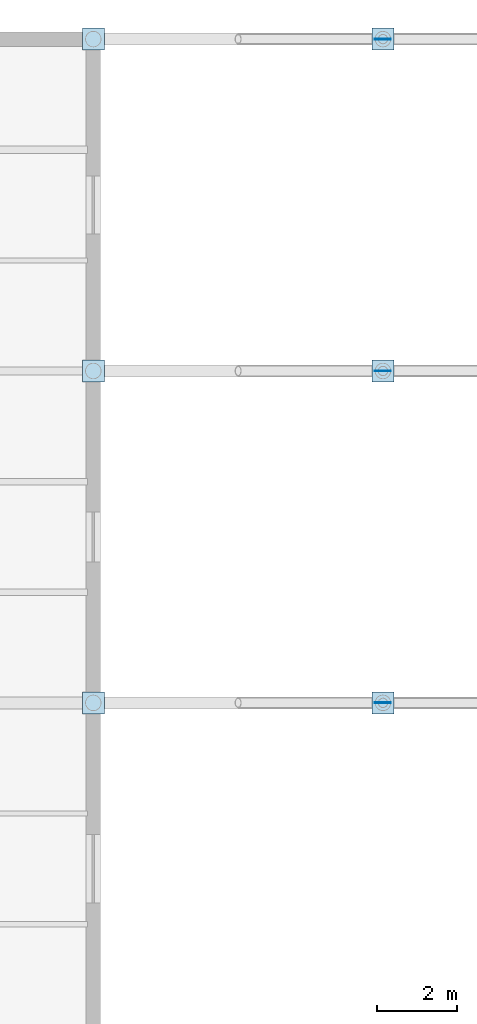
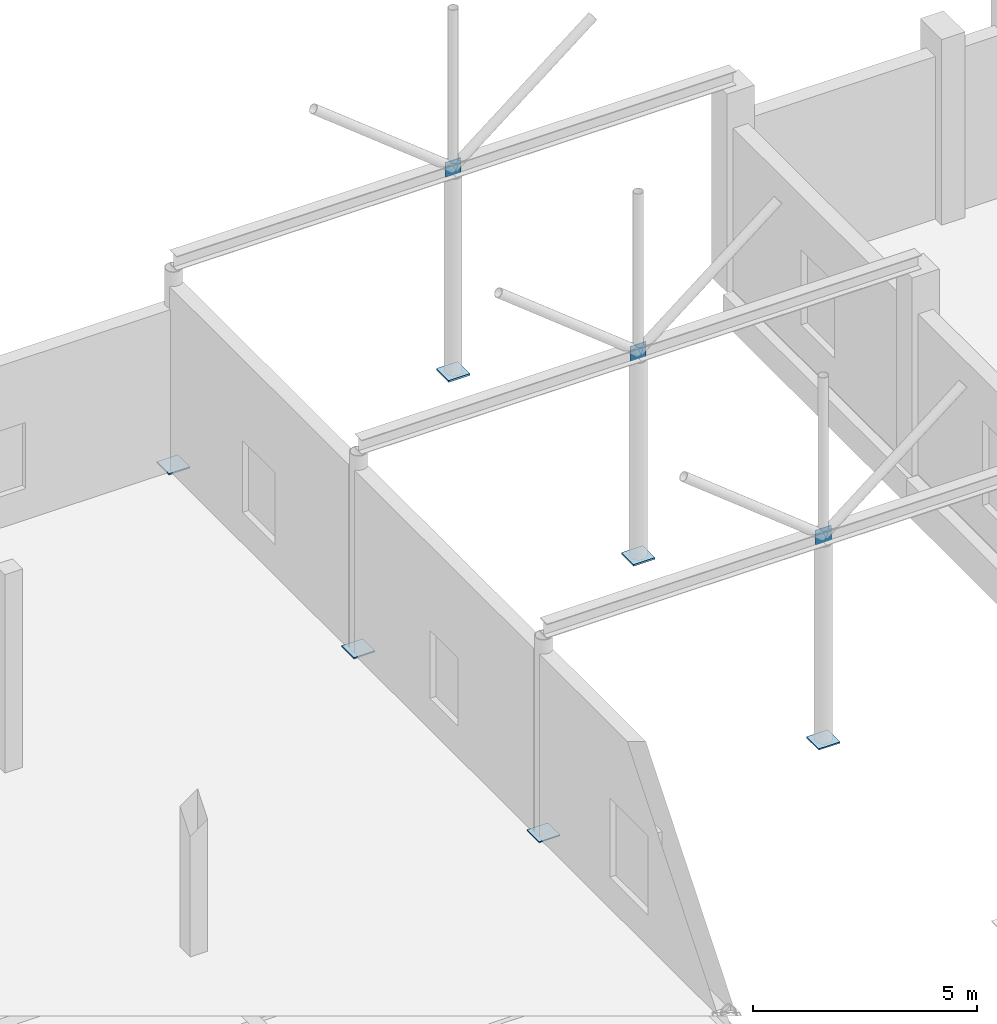
# One storey, part 126 of 147: 9 plates.
"""IFC4 building model written with IfcOpenShell, lengths in metres."""

import ifcopenshell
import ifcopenshell.guid

model = None  # the IFC model being written
_history = None  # IfcOwnerHistory: only IFC2X3 demands one
_inside = {}  # id of a spatial element -> (the spatial element, [elements in it])
_under = {}  # id of a project, library or spatial element -> (it, [spatial elements below it])
_declared = {}  # id of a project -> (the project, [libraries it declares])
_typed = {}  # id of a type object -> (the type object, [elements of that type])
_made_of = {}  # id of a material, layer set ... -> (it, [elements and type objects made of it])


def new_model(schema):
    """Start an empty IFC model of exactly this schema.

    Asked for "IFC4X3", IfcOpenShell would pick the latest addendum, in which some entities
    have other attributes; the version numbers below select the first issue.
    IFC2X3 requires an IfcOwnerHistory on every rooted entity: one is made here for all.
    """
    global model, _history
    if schema == "IFC4X3":
        model = ifcopenshell.file(schema_version=(4, 3, 0, 0))
    else:
        model = ifcopenshell.file(schema=schema)
    _inside.clear()
    _under.clear()
    _declared.clear()
    _typed.clear()
    _made_of.clear()
    _history = None
    if model.schema == "IFC2X3":
        org = make("IfcOrganization", Name="unknown")
        user = make(
            "IfcPersonAndOrganization",
            ThePerson=make("IfcPerson", FamilyName="unknown"),
            TheOrganization=org,
        )
        app = make(
            "IfcApplication",
            ApplicationDeveloper=org,
            Version="unknown",
            ApplicationFullName="unknown",
            ApplicationIdentifier="unknown",
        )
        _history = make(
            "IfcOwnerHistory",
            OwningUser=user,
            OwningApplication=app,
            ChangeAction="ADDED",
            CreationDate=0,
        )
    return model


def make(cls, **values):
    """One entity of the class cls with the attributes given. An attribute that is None is left unset."""
    return model.create_entity(
        cls, **{name: value for name, value in values.items() if value is not None}
    )


def rooted(cls, **values):
    """An entity with a GlobalId (a new one), such as an element, a storey or a relation."""
    return make(cls, GlobalId=ifcopenshell.guid.new(), OwnerHistory=_history, **values)


def si_unit(unit_type, name, prefix=None):
    """IfcSIUnit, for example si_unit("LENGTHUNIT", "METRE", prefix="MILLI")."""
    return make("IfcSIUnit", UnitType=unit_type, Prefix=prefix, Name=name)


def assignment(units):
    """IfcUnitAssignment: the units of a project."""
    return None if units is None else make("IfcUnitAssignment", Units=units)


def point(xyz):
    """IfcCartesianPoint."""
    return None if xyz is None else make("IfcCartesianPoint", Coordinates=xyz)


def direction(xyz):
    """IfcDirection."""
    return None if xyz is None else make("IfcDirection", DirectionRatios=xyz)


def frame(location, z_axis=None, x_axis=None):
    """IfcAxis2Placement3D, a coordinate frame: its origin and axes. An axis left out is left unset."""
    return make(
        "IfcAxis2Placement3D",
        Location=point(location),
        Axis=direction(z_axis),
        RefDirection=direction(x_axis),
    )


def frame_2d(location, x_axis=None):
    """IfcAxis2Placement2D, a coordinate frame in the plane: its origin and x axis."""
    return make(
        "IfcAxis2Placement2D", Location=point(location), RefDirection=direction(x_axis)
    )


def origin():
    """The frame at (0, 0, 0) with its axes left unset."""
    return frame((0.0, 0.0, 0.0))


def origin_2d():
    """The frame at (0, 0) in the plane with its x axis left unset."""
    return frame_2d((0.0, 0.0))


def place(relative_to, where):
    """IfcLocalPlacement: puts the frame where relative to a parent placement (None: the world)."""
    return make(
        "IfcLocalPlacement", PlacementRelTo=relative_to, RelativePlacement=where
    )


def context(
    kind, dimensions, precision=None, world=None, true_north=None, identifier=None
):
    """IfcGeometricRepresentationContext, for example the 3D "Model" context."""
    return make(
        "IfcGeometricRepresentationContext",
        ContextIdentifier=identifier,
        ContextType=kind,
        CoordinateSpaceDimension=dimensions,
        Precision=precision,
        WorldCoordinateSystem=world,
        TrueNorth=true_north,
    )


def subcontext(parent, identifier, kind, view, scale=None):
    """IfcGeometricRepresentationSubContext, for example "Body" below "Model"."""
    return make(
        "IfcGeometricRepresentationSubContext",
        ContextIdentifier=identifier,
        ContextType=kind,
        ParentContext=parent,
        TargetScale=scale,
        TargetView=view,
    )


def project(units=None, contexts=None):
    """IfcProject with its units and contexts."""
    return rooted(
        "IfcProject",
        Name="project",
        RepresentationContexts=contexts,
        UnitsInContext=assignment(units),
    )


def spatial(cls, under=None, at=None, **own):
    """A site, building, storey or space (cls), placed at a placement, below another one or the project."""
    s = rooted(cls, ObjectPlacement=at, **own)
    if under is not None:
        _under.setdefault(under.id(), (under, []))[1].append(s)
    return s


def profile(cls, at=None, kind="AREA", **sizes):
    """A parametric profile (cls). Its sizes go by their IFC names, for example OverallWidth=200.0."""
    return make(cls, ProfileType=kind, Position=at, **sizes)


def rectangle(**sizes):
    """IfcRectangleProfileDef."""
    return profile("IfcRectangleProfileDef", **sizes)


def extrude(swept, where, along, depth):
    """IfcExtrudedAreaSolid: the profile swept, set in the frame where, extruded along a direction by depth."""
    return make(
        "IfcExtrudedAreaSolid",
        SweptArea=swept,
        Position=where,
        ExtrudedDirection=direction(along),
        Depth=depth,
    )


def shape(context_of_items, identifier, shape_type, items):
    """IfcShapeRepresentation: the items that make up one representation, for example the "Body"."""
    return make(
        "IfcShapeRepresentation",
        ContextOfItems=context_of_items,
        RepresentationIdentifier=identifier,
        RepresentationType=shape_type,
        Items=items,
    )


def material(Name=None, Category=None):
    """IfcMaterial."""
    return make("IfcMaterial", Name=Name, Category=Category)


def layer(
    of_material, thickness, ventilated=None, Name=None, Category=None, Priority=None
):
    """IfcMaterialLayer: one layer of a wall or slab, of a material (None: an air gap)."""
    return make(
        "IfcMaterialLayer",
        Material=of_material,
        LayerThickness=thickness,
        IsVentilated=ventilated,
        Name=Name,
        Category=Category,
        Priority=Priority,
    )


def layer_set(layers, Name=None):
    """IfcMaterialLayerSet."""
    return make("IfcMaterialLayerSet", MaterialLayers=layers, LayerSetName=Name)


def made_of(thing, what):
    """Note that an element or type object is made of a material, layer set ...; save() writes the relation."""
    if what is not None:
        _made_of.setdefault(what.id(), (what, []))[1].append(thing)
    return thing


def type_object(cls, material=None, **own):
    """A type object (cls), such as IfcWallType, which elements share."""
    return made_of(rooted(cls, **own), material)


def element(
    cls,
    number,
    at=None,
    inside=None,
    cuts=None,
    type_object=None,
    material=None,
    context=None,
    identifier="Body",
    shape_type=None,
    held_by="IfcProductDefinitionShape",
    body=None,
    shapes=None,
    **own,
):
    """One element of the class cls, such as IfcWall. Its Tag is "e" and its number.

    at: its placement. inside: the storey or other place that contains it. cuts: it is an
    opening in that element (IfcRelVoidsElement). A single representation is given by context,
    identifier, shape_type and body (its items); several are given by shapes. held_by: the class
    of the entity that holds the representations. save() writes the other relations.
    """
    e = rooted(cls, Tag="e%d" % number, ObjectPlacement=at, **own)
    if body is not None:
        shapes = [shape(context, identifier, shape_type, body)]
    if shapes is not None:
        e.Representation = make(held_by, Representations=shapes)
    if inside is not None:
        _inside.setdefault(inside.id(), (inside, []))[1].append(e)
    if cuts is not None:
        rooted(
            "IfcRelVoidsElement", RelatingBuildingElement=cuts, RelatedOpeningElement=e
        )
    if type_object is not None:
        _typed.setdefault(type_object.id(), (type_object, []))[1].append(e)
    return made_of(e, material)


def aggregate(whole, parts):
    """IfcRelAggregates: a whole, such as a stair, and the parts it consists of."""
    return rooted("IfcRelAggregates", RelatingObject=whole, RelatedObjects=parts)


def save(model, path):
    """Write the relations noted so far, then the file.

    IfcRelAggregates (storeys below a building ...), IfcRelContainedInSpatialStructure (elements
    in a storey), IfcRelDefinesByType, IfcRelAssociatesMaterial and IfcRelDeclares: one each for
    every whole, place, type object, material and project.
    """
    for whole, parts in _under.values():
        aggregate(whole, parts)
    for where, things in _inside.values():
        rooted(
            "IfcRelContainedInSpatialStructure",
            RelatedElements=things,
            RelatingStructure=where,
        )
    for kind, things in _typed.values():
        rooted("IfcRelDefinesByType", RelatedObjects=things, RelatingType=kind)
    for what, things in _made_of.values():
        rooted("IfcRelAssociatesMaterial", RelatedObjects=things, RelatingMaterial=what)
    for by, libraries in _declared.values():
        rooted("IfcRelDeclares", RelatingContext=by, RelatedDefinitions=libraries)
    model.write(path)


model = new_model("IFC4")

# Units and contexts
model_context = context("Model", 3, precision=1e-05, world=origin(), true_north=direction((0.0, 1.0)))
body_context = subcontext(model_context, "Body", "Model", "MODEL_VIEW")
ifc_project = project(units=[si_unit("LENGTHUNIT", "METRE"), si_unit("AREAUNIT", "SQUARE_METRE"), si_unit("VOLUMEUNIT", "CUBIC_METRE"), si_unit("PLANEANGLEUNIT", "RADIAN"), si_unit("MASSUNIT", "GRAM", prefix="KILO")], contexts=[model_context])

# Site, building, storey
site_placement = place(None, origin())
site = spatial("IfcSite", under=ifc_project, at=site_placement, CompositionType="ELEMENT")
building_placement = place(site_placement, origin())
building = spatial("IfcBuilding", under=site, at=building_placement, Name="Sundgate Opera House", CompositionType="ELEMENT")
storey_placement = place(building_placement, frame((0.0, 0.0, 6.0)))
storey = spatial("IfcBuildingStorey", under=building, at=storey_placement, Name="L01", CompositionType="ELEMENT", Elevation=6.0)

# Plates
ifc_material_1 = material(Name="Steel S355J2", Category="steel")
ifc_layer_1 = layer(ifc_material_1, 0.02587890625)
ifc_layer_set_1 = layer_set([ifc_layer_1], Name="Steel S355J2")
plate_type_1 = type_object("IfcPlateType", Name="PT-BAS-26", PredefinedType="USERDEFINED", material=ifc_layer_set_1)
plate_1_placement = place(storey_placement, frame((81.0, 103.5, 0.0), z_axis=(0.0, 0.0, 1.0), x_axis=(1.0, 0.0, 0.0)))
element("IfcPlate", 1, at=plate_1_placement, inside=storey, type_object=plate_type_1, Name="L01 Base Plate PT0175", ObjectType="BASE PLATE", PredefinedType="USERDEFINED", context=body_context, shape_type="SweptSolid", body=[
    extrude(rectangle(XDim=0.5458984375, YDim=0.5458984375, at=origin_2d()), origin(), (0.0, 0.0, 1.0), 0.02587890625),
])
ifc_material_2 = material(Name="Steel S355J2", Category="steel")
ifc_layer_2 = layer(ifc_material_2, 0.033935546875)
ifc_layer_set_2 = layer_set([ifc_layer_2], Name="Steel S355J2")
plate_type_2 = type_object("IfcPlateType", Name="PT-BAS-34", PredefinedType="USERDEFINED", material=ifc_layer_set_2)
plate_2_placement = place(storey_placement, frame((81.0, 111.75, 0.0), z_axis=(0.0, 0.0, 1.0), x_axis=(1.0, 0.0, 0.0)))
element("IfcPlate", 2, at=plate_2_placement, inside=storey, type_object=plate_type_2, Name="L01 Base Plate PT0177", ObjectType="BASE PLATE", PredefinedType="USERDEFINED", context=body_context, shape_type="SweptSolid", body=[
    extrude(rectangle(XDim=0.5458984375, YDim=0.5458984375, at=origin_2d()), origin(), (0.0, 0.0, 1.0), 0.033935546875),
])
ifc_material_3 = material(Name="Steel S355J2", Category="steel")
ifc_layer_3 = layer(ifc_material_3, 0.035888671875)
ifc_layer_set_3 = layer_set([ifc_layer_3], Name="Steel S355J2")
plate_type_3 = type_object("IfcPlateType", Name="PT-BAS-36", PredefinedType="USERDEFINED", material=ifc_layer_set_3)
for number, where, z_axis, x_axis, name in (
    (3, (81.0, 120.0, 0.0), (0.0, 0.0, 1.0), (1.0, 0.0, 0.0), "L01 Base Plate PT0179"),
    (4, (88.199951171875, 103.5, 0.0), (0.0, 0.0, 1.0), (1.0, 0.0, 0.0), "L01 Base Plate PT0205"),
):
    element("IfcPlate", number, at=place(storey_placement, frame(where, z_axis=z_axis, x_axis=x_axis)), inside=storey, type_object=plate_type_3, Name=name, ObjectType="BASE PLATE", PredefinedType="USERDEFINED", context=body_context, shape_type="SweptSolid", body=[
        extrude(rectangle(XDim=0.5458984375, YDim=0.5458984375, at=origin_2d()), origin(), (0.0, 0.0, 1.0), 0.035888671875),
    ])
ifc_material_4 = material(Name="Steel S355J2", Category="steel")
ifc_layer_4 = layer(ifc_material_4, 0.044921875)
ifc_layer_set_4 = layer_set([ifc_layer_4], Name="Steel S355J2")
plate_type_4 = type_object("IfcPlateType", Name="PT-BAS-45", PredefinedType="USERDEFINED", material=ifc_layer_set_4)
plate_3_placement = place(storey_placement, frame((88.199951171875, 111.75, 0.0), z_axis=(0.0, 0.0, 1.0), x_axis=(1.0, 0.0, 0.0)))
element("IfcPlate", 5, at=plate_3_placement, inside=storey, type_object=plate_type_4, Name="L01 Base Plate PT0207", ObjectType="BASE PLATE", PredefinedType="USERDEFINED", context=body_context, shape_type="SweptSolid", body=[
    extrude(rectangle(XDim=0.5458984375, YDim=0.5458984375, at=origin_2d()), origin(), (0.0, 0.0, 1.0), 0.044921875),
])
ifc_material_5 = material(Name="Steel S355J2", Category="steel")
ifc_layer_5 = layer(ifc_material_5, 0.050048828125)
ifc_layer_set_5 = layer_set([ifc_layer_5], Name="Steel S355J2")
plate_type_5 = type_object("IfcPlateType", Name="PT-BAS-50", PredefinedType="USERDEFINED", material=ifc_layer_set_5)
plate_4_placement = place(storey_placement, frame((88.199951171875, 120.0, 0.0), z_axis=(0.0, 0.0, 1.0), x_axis=(1.0, 0.0, 0.0)))
element("IfcPlate", 6, at=plate_4_placement, inside=storey, type_object=plate_type_5, Name="L01 Base Plate PT0209", ObjectType="BASE PLATE", PredefinedType="USERDEFINED", context=body_context, shape_type="SweptSolid", body=[
    extrude(rectangle(XDim=0.5458984375, YDim=0.5458984375, at=origin_2d()), origin(), (0.0, 0.0, 1.0), 0.050048828125),
])
ifc_material_6 = material(Name="Steel S355J2", Category="steel")
ifc_layer_6 = layer(ifc_material_6, 0.02197265625)
ifc_layer_set_6 = layer_set([ifc_layer_6], Name="Steel S355J2")
plate_type_6 = type_object("IfcPlateType", Name="PT-GUS-22", PredefinedType="USERDEFINED", material=ifc_layer_set_6)
for number, where, z_axis, x_axis, name in (
    (7, (88.199951171875, 103.5, 5.39501953125), (0.0, 0.0, 1.0), (1.0, 0.0, 0.0), "Passage Strut Shared Base Gusset"),
    (8, (88.199951171875, 111.75, 5.39501953125), (0.0, 0.0, 1.0), (1.0, 0.0, 0.0), "Passage Strut Shared Base Gusset"),
    (9, (88.199951171875, 120.0, 5.39501953125), (0.0, 0.0, 1.0), (1.0, 0.0, 0.0), "Passage Strut Shared Base Gusset"),
):
    element("IfcPlate", number, at=place(storey_placement, frame(where, z_axis=z_axis, x_axis=x_axis)), inside=storey, type_object=plate_type_6, Name=name, ObjectType="GUSSET PLATE", PredefinedType="USERDEFINED", context=body_context, shape_type="SweptSolid", body=[
        extrude(rectangle(XDim=0.39990234375, YDim=0.02197265625, at=origin_2d()), origin(), (0.0, 0.0, 1.0), 0.39990234375),
    ])

save(model, "model.ifc")
